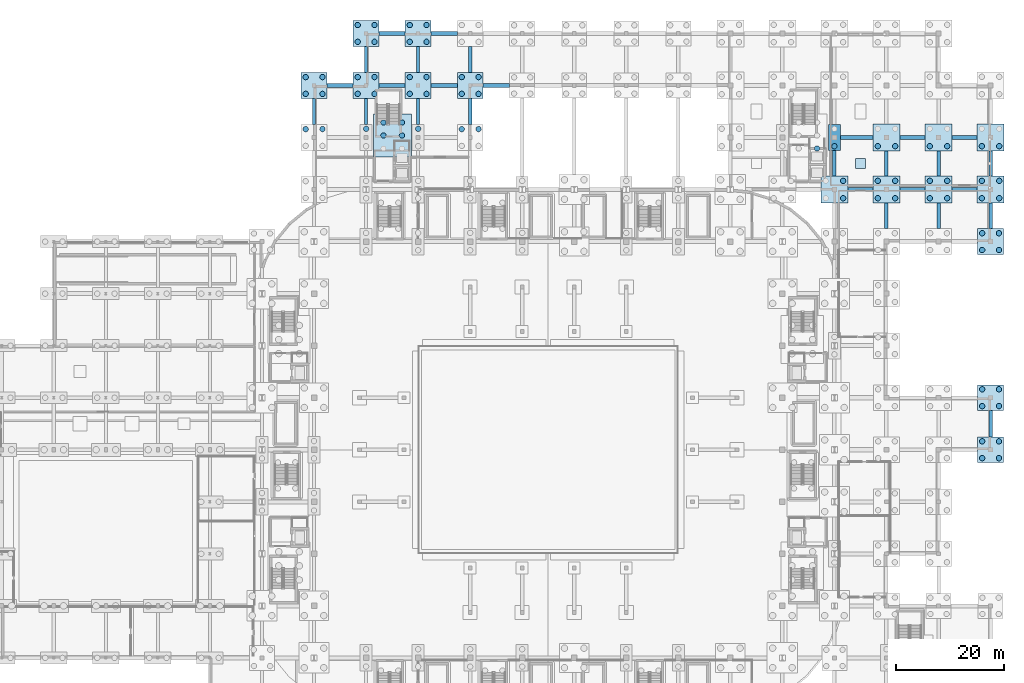
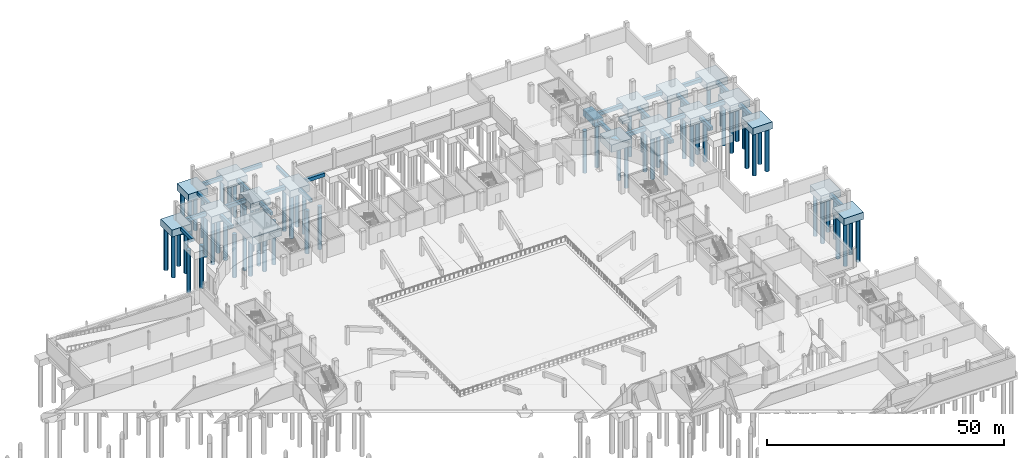
# One storey, part 10 of 67: 68 piles, 46 footings.
"""IFC4 building model written with IfcOpenShell, lengths in metres."""

from ifc_helpers import new_model, si_unit, direction, frame, origin, origin_2d, place, context, subcontext, project, spatial, polyline, rectangle, circle, outline, extrude, material, material_profile, profile_set, type_object, element, save


model = new_model("IFC4")

# Units and contexts
model_context = context("Model", 3, precision=1e-05, world=origin(), true_north=direction((0.0, 1.0)))
body_context = subcontext(model_context, "Body", "Model", "MODEL_VIEW")
ifc_project = project(units=[si_unit("LENGTHUNIT", "METRE"), si_unit("AREAUNIT", "SQUARE_METRE"), si_unit("VOLUMEUNIT", "CUBIC_METRE"), si_unit("PLANEANGLEUNIT", "RADIAN"), si_unit("MASSUNIT", "GRAM", prefix="KILO")], contexts=[model_context])

# Site, building, storey
site_placement = place(None, origin())
site = spatial("IfcSite", under=ifc_project, at=site_placement, CompositionType="ELEMENT")
building_placement = place(site_placement, origin())
building = spatial("IfcBuilding", under=site, at=building_placement, Name="Caelomonte Colonnade Arena", CompositionType="ELEMENT")
storey_placement = place(building_placement, frame((0.0, 0.0, -4.800048828125)))
storey = spatial("IfcBuildingStorey", under=building, at=storey_placement, Name="B1", CompositionType="ELEMENT", Elevation=-4.800048828125)

# Footings
ifc_material = material(Name="Concrete C40/50", Category="concrete")
footing_type_1 = type_object("IfcFootingType", Name="STR-FB-GB01", PredefinedType="FOOTING_BEAM", material=ifc_material)
footing_1_placement = place(storey_placement, frame((0.0, 0.0, -1.39990234375)))
element("IfcFooting", 1, at=footing_1_placement, inside=storey, type_object=footing_type_1, Name="Ground tie beam X (163.2..172.8, Y=115.2)", PredefinedType="FOOTING_BEAM", context=body_context, shape_type="SweptSolid", body=[
    extrude(outline(polyline([(165.679931640625, 114.824951171875), (170.320068359375, 114.824951171875), (170.320068359375, 115.574951171875), (165.679931640625, 115.574951171875), (165.679931640625, 114.824951171875)])), origin(), (0.0, 0.0, 1.0), 0.949951171875),
])
footing_type_2 = type_object("IfcFootingType", Name="STR-FB-GB02", PredefinedType="FOOTING_BEAM", material=ifc_material)
footing_2_placement = place(storey_placement, frame((0.0, 0.0, -1.349853515625)))
element("IfcFooting", 2, at=footing_2_placement, inside=storey, type_object=footing_type_2, Name="Ground tie beam X (172.8..182.4, Y=115.2)", PredefinedType="FOOTING_BEAM", context=body_context, shape_type="SweptSolid", body=[
    extrude(outline(polyline([(175.280029296875, 114.85009765625), (179.919921875, 114.85009765625), (179.919921875, 115.550048828125), (175.280029296875, 115.550048828125), (175.280029296875, 114.85009765625)])), origin(), (0.0, 0.0, 1.0), 0.89990234375),
])
footing_3_placement = place(storey_placement, frame((0.0, 0.0, -1.349853515625)))
element("IfcFooting", 3, at=footing_3_placement, inside=storey, type_object=footing_type_2, Name="Ground tie beam X (182.4..192.0, Y=115.2)", PredefinedType="FOOTING_BEAM", context=body_context, shape_type="SweptSolid", body=[
    extrude(outline(polyline([(184.8798828125, 114.85009765625), (189.52001953125, 114.85009765625), (189.52001953125, 115.550048828125), (184.8798828125, 115.550048828125), (184.8798828125, 114.85009765625)])), origin(), (0.0, 0.0, 1.0), 0.89990234375),
])
footing_4_placement = place(storey_placement, frame((0.0, 0.0, -1.349853515625)))
element("IfcFooting", 4, at=footing_4_placement, inside=storey, type_object=footing_type_2, Name="Ground tie beam X (163.2..172.8, Y=124.8)", PredefinedType="FOOTING_BEAM", context=body_context, shape_type="SweptSolid", body=[
    extrude(outline(polyline([(164.300048828125, 124.449951171875), (170.320068359375, 124.449951171875), (170.320068359375, 125.14990234375), (164.300048828125, 125.14990234375), (164.300048828125, 124.449951171875)])), origin(), (0.0, 0.0, 1.0), 0.89990234375),
])
footing_5_placement = place(storey_placement, frame((0.0, 0.0, -1.349853515625)))
element("IfcFooting", 5, at=footing_5_placement, inside=storey, type_object=footing_type_2, Name="Ground tie beam X (172.8..182.4, Y=124.8)", PredefinedType="FOOTING_BEAM", context=body_context, shape_type="SweptSolid", body=[
    extrude(outline(polyline([(175.280029296875, 124.449951171875), (179.919921875, 124.449951171875), (179.919921875, 125.14990234375), (175.280029296875, 125.14990234375), (175.280029296875, 124.449951171875)])), origin(), (0.0, 0.0, 1.0), 0.89990234375),
])
footing_6_placement = place(storey_placement, frame((0.0, 0.0, -1.349853515625)))
element("IfcFooting", 6, at=footing_6_placement, inside=storey, type_object=footing_type_2, Name="Ground tie beam X (182.4..192.0, Y=124.8)", PredefinedType="FOOTING_BEAM", context=body_context, shape_type="SweptSolid", body=[
    extrude(outline(polyline([(184.8798828125, 124.449951171875), (189.52001953125, 124.449951171875), (189.52001953125, 125.14990234375), (184.8798828125, 125.14990234375), (184.8798828125, 124.449951171875)])), origin(), (0.0, 0.0, 1.0), 0.89990234375),
])
footing_7_placement = place(storey_placement, frame((0.0, 0.0, -1.349853515625)))
element("IfcFooting", 7, at=footing_7_placement, inside=storey, type_object=footing_type_2, Name="Ground tie beam X (67.2..76.8, Y=134.4)", PredefinedType="FOOTING_BEAM", context=body_context, shape_type="SweptSolid", body=[
    extrude(outline(polyline([(69.580078125, 134.050048828125), (74.419921875, 134.050048828125), (74.419921875, 134.75), (69.580078125, 134.75), (69.580078125, 134.050048828125)])), origin(), (0.0, 0.0, 1.0), 0.89990234375),
])
footing_8_placement = place(storey_placement, frame((0.0, 0.0, -1.349853515625)))
element("IfcFooting", 8, at=footing_8_placement, inside=storey, type_object=footing_type_2, Name="Ground tie beam X (76.8..86.4, Y=134.4)", PredefinedType="FOOTING_BEAM", context=body_context, shape_type="SweptSolid", body=[
    extrude(outline(polyline([(79.179931640625, 134.050048828125), (84.02001953125, 134.050048828125), (84.02001953125, 134.75), (79.179931640625, 134.75), (79.179931640625, 134.050048828125)])), origin(), (0.0, 0.0, 1.0), 0.89990234375),
])
footing_9_placement = place(storey_placement, frame((0.0, 0.0, -1.349853515625)))
element("IfcFooting", 9, at=footing_9_placement, inside=storey, type_object=footing_type_2, Name="Ground tie beam X (86.4..96.0, Y=134.4)", PredefinedType="FOOTING_BEAM", context=body_context, shape_type="SweptSolid", body=[
    extrude(outline(polyline([(88.780029296875, 134.050048828125), (93.6201171875, 134.050048828125), (93.6201171875, 134.75), (88.780029296875, 134.75), (88.780029296875, 134.050048828125)])), origin(), (0.0, 0.0, 1.0), 0.89990234375),
])
footing_10_placement = place(storey_placement, frame((0.0, 0.0, -1.349853515625)))
element("IfcFooting", 10, at=footing_10_placement, inside=storey, type_object=footing_type_2, Name="Ground tie beam X (96.0..105.6, Y=134.4)", PredefinedType="FOOTING_BEAM", context=body_context, shape_type="SweptSolid", body=[
    extrude(outline(polyline([(98.3798828125, 134.050048828125), (103.300048828125, 134.050048828125), (103.300048828125, 134.75), (98.3798828125, 134.75), (98.3798828125, 134.050048828125)])), origin(), (0.0, 0.0, 1.0), 0.89990234375),
])
footing_11_placement = place(storey_placement, frame((0.0, 0.0, -1.349853515625)))
element("IfcFooting", 11, at=footing_11_placement, inside=storey, type_object=footing_type_2, Name="Ground tie beam X (76.8..86.4, Y=144.0)", PredefinedType="FOOTING_BEAM", context=body_context, shape_type="SweptSolid", body=[
    extrude(outline(polyline([(79.179931640625, 143.64990234375), (84.02001953125, 143.64990234375), (84.02001953125, 144.35009765625), (79.179931640625, 144.35009765625), (79.179931640625, 143.64990234375)])), origin(), (0.0, 0.0, 1.0), 0.89990234375),
])
footing_12_placement = place(storey_placement, frame((0.0, 0.0, -1.349853515625)))
element("IfcFooting", 12, at=footing_12_placement, inside=storey, type_object=footing_type_2, Name="Ground tie beam X (86.4..96.0, Y=144.0)", PredefinedType="FOOTING_BEAM", context=body_context, shape_type="SweptSolid", body=[
    extrude(outline(polyline([(88.780029296875, 143.64990234375), (93.6201171875, 143.64990234375), (93.6201171875, 144.35009765625), (88.780029296875, 144.35009765625), (88.780029296875, 143.64990234375)])), origin(), (0.0, 0.0, 1.0), 0.89990234375),
])
footing_type_3 = type_object("IfcFootingType", Name="STR-FB-GB03", PredefinedType="FOOTING_BEAM", material=ifc_material)
footing_13_placement = place(storey_placement, frame((0.0, 0.0, -1.300048828125)))
element("IfcFooting", 13, at=footing_13_placement, inside=storey, type_object=footing_type_3, Name="Ground tie beam Y (X=163.2, 115.2..124.8)", PredefinedType="FOOTING_BEAM", context=body_context, shape_type="SweptSolid", body=[
    extrude(outline(polyline([(162.875, 117.679931640625), (163.52490234375, 117.679931640625), (163.52490234375, 122.360107421875), (162.875, 122.360107421875), (162.875, 117.679931640625)])), origin(), (0.0, 0.0, 1.0), 0.85009765625),
])
footing_14_placement = place(storey_placement, frame((0.0, 0.0, -1.300048828125)))
element("IfcFooting", 14, at=footing_14_placement, inside=storey, type_object=footing_type_3, Name="Ground tie beam Y (X=172.8, 105.6..115.2)", PredefinedType="FOOTING_BEAM", context=body_context, shape_type="SweptSolid", body=[
    extrude(outline(polyline([(172.47509765625, 107.97998046875), (173.125, 107.97998046875), (173.125, 112.719970703125), (172.47509765625, 112.719970703125), (172.47509765625, 107.97998046875)])), origin(), (0.0, 0.0, 1.0), 0.85009765625),
])
footing_15_placement = place(storey_placement, frame((0.0, 0.0, -1.300048828125)))
element("IfcFooting", 15, at=footing_15_placement, inside=storey, type_object=footing_type_3, Name="Ground tie beam Y (X=172.8, 115.2..124.8)", PredefinedType="FOOTING_BEAM", context=body_context, shape_type="SweptSolid", body=[
    extrude(outline(polyline([(172.47509765625, 117.679931640625), (173.125, 117.679931640625), (173.125, 122.320068359375), (172.47509765625, 122.320068359375), (172.47509765625, 117.679931640625)])), origin(), (0.0, 0.0, 1.0), 0.85009765625),
])
footing_16_placement = place(storey_placement, frame((0.0, 0.0, -1.300048828125)))
element("IfcFooting", 16, at=footing_16_placement, inside=storey, type_object=footing_type_3, Name="Ground tie beam Y (X=182.4, 105.6..115.2)", PredefinedType="FOOTING_BEAM", context=body_context, shape_type="SweptSolid", body=[
    extrude(outline(polyline([(182.074951171875, 107.97998046875), (182.72509765625, 107.97998046875), (182.72509765625, 112.719970703125), (182.074951171875, 112.719970703125), (182.074951171875, 107.97998046875)])), origin(), (0.0, 0.0, 1.0), 0.85009765625),
])
footing_17_placement = place(storey_placement, frame((0.0, 0.0, -1.300048828125)))
element("IfcFooting", 17, at=footing_17_placement, inside=storey, type_object=footing_type_3, Name="Ground tie beam Y (X=182.4, 115.2..124.8)", PredefinedType="FOOTING_BEAM", context=body_context, shape_type="SweptSolid", body=[
    extrude(outline(polyline([(182.074951171875, 117.679931640625), (182.72509765625, 117.679931640625), (182.72509765625, 122.320068359375), (182.074951171875, 122.320068359375), (182.074951171875, 117.679931640625)])), origin(), (0.0, 0.0, 1.0), 0.85009765625),
])
footing_18_placement = place(storey_placement, frame((0.0, 0.0, -1.300048828125)))
element("IfcFooting", 18, at=footing_18_placement, inside=storey, type_object=footing_type_3, Name="Ground tie beam Y (X=192.0, 67.2..76.8)", PredefinedType="FOOTING_BEAM", context=body_context, shape_type="SweptSolid", body=[
    extrude(outline(polyline([(191.675048828125, 69.580078125), (192.324951171875, 69.580078125), (192.324951171875, 74.419921875), (191.675048828125, 74.419921875), (191.675048828125, 69.580078125)])), origin(), (0.0, 0.0, 1.0), 0.85009765625),
])
footing_19_placement = place(storey_placement, frame((0.0, 0.0, -1.300048828125)))
element("IfcFooting", 19, at=footing_19_placement, inside=storey, type_object=footing_type_3, Name="Ground tie beam Y (X=192.0, 105.6..115.2)", PredefinedType="FOOTING_BEAM", context=body_context, shape_type="SweptSolid", body=[
    extrude(outline(polyline([(191.675048828125, 107.97998046875), (192.324951171875, 107.97998046875), (192.324951171875, 112.719970703125), (191.675048828125, 112.719970703125), (191.675048828125, 107.97998046875)])), origin(), (0.0, 0.0, 1.0), 0.85009765625),
])
footing_20_placement = place(storey_placement, frame((0.0, 0.0, -1.300048828125)))
element("IfcFooting", 20, at=footing_20_placement, inside=storey, type_object=footing_type_3, Name="Ground tie beam Y (X=192.0, 115.2..124.8)", PredefinedType="FOOTING_BEAM", context=body_context, shape_type="SweptSolid", body=[
    extrude(outline(polyline([(191.675048828125, 117.679931640625), (192.324951171875, 117.679931640625), (192.324951171875, 122.320068359375), (191.675048828125, 122.320068359375), (191.675048828125, 117.679931640625)])), origin(), (0.0, 0.0, 1.0), 0.85009765625),
])
footing_type_4 = type_object("IfcFootingType", Name="STR-FB-GB04", PredefinedType="FOOTING_BEAM", material=ifc_material)
footing_21_placement = place(storey_placement, frame((0.0, 0.0, -1.25)))
element("IfcFooting", 21, at=footing_21_placement, inside=storey, type_object=footing_type_4, Name="Ground tie beam Y (X=67.2, 124.8..134.4)", PredefinedType="FOOTING_BEAM", context=body_context, shape_type="SweptSolid", body=[
    extrude(outline(polyline([(66.89990234375, 127.179931640625), (67.5, 127.179931640625), (67.5, 132.02001953125), (66.89990234375, 132.02001953125), (66.89990234375, 127.179931640625)])), origin(), (0.0, 0.0, 1.0), 0.800048828125),
])
footing_22_placement = place(storey_placement, frame((0.0, 0.0, -1.25)))
element("IfcFooting", 22, at=footing_22_placement, inside=storey, type_object=footing_type_4, Name="Ground tie beam Y (X=76.8, 124.8..134.4)", PredefinedType="FOOTING_BEAM", context=body_context, shape_type="SweptSolid", body=[
    extrude(outline(polyline([(76.5, 127.239990234375), (77.10009765625, 127.239990234375), (77.10009765625, 132.02001953125), (76.5, 132.02001953125), (76.5, 127.239990234375)])), origin(), (0.0, 0.0, 1.0), 0.800048828125),
])
footing_23_placement = place(storey_placement, frame((0.0, 0.0, -1.25)))
element("IfcFooting", 23, at=footing_23_placement, inside=storey, type_object=footing_type_4, Name="Ground tie beam Y (X=76.8, 134.4..144.0)", PredefinedType="FOOTING_BEAM", context=body_context, shape_type="SweptSolid", body=[
    extrude(outline(polyline([(76.5, 136.780029296875), (77.10009765625, 136.780029296875), (77.10009765625, 141.6201171875), (76.5, 141.6201171875), (76.5, 136.780029296875)])), origin(), (0.0, 0.0, 1.0), 0.800048828125),
])
footing_24_placement = place(storey_placement, frame((0.0, 0.0, -1.25)))
element("IfcFooting", 24, at=footing_24_placement, inside=storey, type_object=footing_type_4, Name="Ground tie beam Y (X=86.4, 124.8..134.4)", PredefinedType="FOOTING_BEAM", context=body_context, shape_type="SweptSolid", body=[
    extrude(outline(polyline([(86.10009765625, 127.239990234375), (86.699951171875, 127.239990234375), (86.699951171875, 132.02001953125), (86.10009765625, 132.02001953125), (86.10009765625, 127.239990234375)])), origin(), (0.0, 0.0, 1.0), 0.800048828125),
])
footing_25_placement = place(storey_placement, frame((0.0, 0.0, -1.25)))
element("IfcFooting", 25, at=footing_25_placement, inside=storey, type_object=footing_type_4, Name="Ground tie beam Y (X=86.4, 134.4..144.0)", PredefinedType="FOOTING_BEAM", context=body_context, shape_type="SweptSolid", body=[
    extrude(outline(polyline([(86.10009765625, 136.780029296875), (86.699951171875, 136.780029296875), (86.699951171875, 141.6201171875), (86.10009765625, 141.6201171875), (86.10009765625, 136.780029296875)])), origin(), (0.0, 0.0, 1.0), 0.800048828125),
])
footing_26_placement = place(storey_placement, frame((0.0, 0.0, -1.25)))
element("IfcFooting", 26, at=footing_26_placement, inside=storey, type_object=footing_type_4, Name="Ground tie beam Y (X=96.0, 124.8..134.4)", PredefinedType="FOOTING_BEAM", context=body_context, shape_type="SweptSolid", body=[
    extrude(outline(polyline([(95.699951171875, 127.179931640625), (96.300048828125, 127.179931640625), (96.300048828125, 132.02001953125), (95.699951171875, 132.02001953125), (95.699951171875, 127.179931640625)])), origin(), (0.0, 0.0, 1.0), 0.800048828125),
])
footing_27_placement = place(storey_placement, frame((0.0, 0.0, -1.25)))
element("IfcFooting", 27, at=footing_27_placement, inside=storey, type_object=footing_type_4, Name="Ground tie beam Y (X=96.0, 134.4..144.0)", PredefinedType="FOOTING_BEAM", context=body_context, shape_type="SweptSolid", body=[
    extrude(outline(polyline([(95.699951171875, 136.780029296875), (96.300048828125, 136.780029296875), (96.300048828125, 141.6201171875), (95.699951171875, 141.6201171875), (95.699951171875, 136.780029296875)])), origin(), (0.0, 0.0, 1.0), 0.800048828125),
])
footing_type_5 = type_object("IfcFootingType", Name="STR-FC-PC03", PredefinedType="PILE_CAP", material=ifc_material)
for number, where, z_axis, x_axis, name in (
    (28, (163.199951171875, 115.199951171875, -2.349853515625), (0.0, 0.0, 1.0), (1.0, 0.0, 0.0), "Pile cap FC-1632-1152"),
    (29, (172.800048828125, 115.199951171875, -2.349853515625), (0.0, 0.0, 1.0), (1.0, 0.0, 0.0), "Pile cap FC-1728-1152"),
    (30, (172.800048828125, 124.800048828125, -2.349853515625), (0.0, 0.0, 1.0), (1.0, 0.0, 0.0), "Pile cap FC-1728-1248"),
    (31, (182.39990234375, 115.199951171875, -2.349853515625), (0.0, 0.0, 1.0), (1.0, 0.0, 0.0), "Pile cap FC-1824-1152"),
    (32, (182.39990234375, 124.800048828125, -2.349853515625), (0.0, 0.0, 1.0), (1.0, 0.0, 0.0), "Pile cap FC-1824-1248"),
    (33, (192.0, 115.199951171875, -2.349853515625), (0.0, 0.0, 1.0), (1.0, 0.0, 0.0), "Pile cap FC-1920-1152"),
    (34, (192.0, 124.800048828125, -2.349853515625), (0.0, 0.0, 1.0), (1.0, 0.0, 0.0), "Pile cap FC-1920-1248"),
):
    element("IfcFooting", number, at=place(storey_placement, frame(where, z_axis=z_axis, x_axis=x_axis)), inside=storey, type_object=footing_type_5, Name=name, PredefinedType="PILE_CAP", context=body_context, shape_type="SweptSolid", body=[
        extrude(rectangle(XDim=4.9599609375, YDim=4.9599609375, at=origin_2d()), origin(), (0.0, 0.0, 1.0), 1.89990234375),
    ])
footing_type_6 = type_object("IfcFootingType", Name="STR-FC-PC04", PredefinedType="PILE_CAP", material=ifc_material)
for number, where, z_axis, x_axis, name in (
    (35, (67.199951171875, 134.39990234375, -2.25), (0.0, 0.0, 1.0), (1.0, 0.0, 0.0), "Pile cap FC-0672-1344"),
    (36, (76.800048828125, 134.39990234375, -2.25), (0.0, 0.0, 1.0), (1.0, 0.0, 0.0), "Pile cap FC-0768-1344"),
    (37, (76.800048828125, 144.0, -2.25), (0.0, 0.0, 1.0), (1.0, 0.0, 0.0), "Pile cap FC-0768-1440"),
    (38, (86.39990234375, 134.39990234375, -2.25), (0.0, 0.0, 1.0), (1.0, 0.0, 0.0), "Pile cap FC-0864-1344"),
    (39, (86.39990234375, 144.0, -2.25), (0.0, 0.0, 1.0), (1.0, 0.0, 0.0), "Pile cap FC-0864-1440"),
    (40, (96.0, 134.39990234375, -2.25), (0.0, 0.0, 1.0), (1.0, 0.0, 0.0), "Pile cap FC-0960-1344"),
    (41, (192.0, 67.199951171875, -2.25), (0.0, 0.0, 1.0), (1.0, 0.0, 0.0), "Pile cap FC-1920-0672"),
    (42, (192.0, 76.800048828125, -2.25), (0.0, 0.0, 1.0), (1.0, 0.0, 0.0), "Pile cap FC-1920-0768"),
    (43, (192.0, 105.60009765625, -2.25), (0.0, 0.0, 1.0), (1.0, 0.0, 0.0), "Pile cap FC-1920-1056"),
):
    element("IfcFooting", number, at=place(storey_placement, frame(where, z_axis=z_axis, x_axis=x_axis)), inside=storey, type_object=footing_type_6, Name=name, PredefinedType="PILE_CAP", context=body_context, shape_type="SweptSolid", body=[
        extrude(rectangle(XDim=4.760009765625, YDim=4.760009765625, at=origin_2d()), origin(), (0.0, 0.0, 1.0), 1.800048828125),
    ])
footing_type_7 = type_object("IfcFootingType", Name="STR-FC-PC07", PredefinedType="PILE_CAP", material=ifc_material)
footing_28_placement = place(storey_placement, frame((163.199951171875, 124.800048828125, -2.14990234375), z_axis=(0.0, 0.0, 1.0), x_axis=(1.0, 0.0, 0.0)))
element("IfcFooting", 44, at=footing_28_placement, inside=storey, type_object=footing_type_7, Name="Pile cap FC-1632-1248", PredefinedType="PILE_CAP", context=body_context, shape_type="SweptSolid", body=[
    extrude(rectangle(XDim=2.199951171875, YDim=4.8798828125, at=origin_2d()), origin(), (0.0, 0.0, 1.0), 1.699951171875),
])
footing_type_8 = type_object("IfcFootingType", Name="STR-FC-PC11", PredefinedType="PILE_CAP", material=ifc_material)
footing_29_placement = place(storey_placement, frame((81.699951171875, 125.175048828125, -2.449951171875), z_axis=(0.0, 0.0, 1.0), x_axis=(1.0, 0.0, 0.0)))
element("IfcFooting", 45, at=footing_29_placement, inside=storey, type_object=footing_type_8, Name="Core C7 pile cap", PredefinedType="PILE_CAP", context=body_context, shape_type="SweptSolid", body=[
    extrude(rectangle(XDim=7.0, YDim=8.0, at=origin_2d()), origin(), (0.0, 0.0, 1.0), 2.0),
])
footing_type_9 = type_object("IfcFootingType", Name="STR-FD-PF04", PredefinedType="PAD_FOOTING", material=ifc_material)
footing_30_placement = place(storey_placement, frame((168.0, 120.0, -1.199951171875), z_axis=(0.0, 0.0, 1.0), x_axis=(1.0, 0.0, 0.0)))
element("IfcFooting", 46, at=footing_30_placement, inside=storey, type_object=footing_type_9, Name="Equipment pad footing PF-08", PredefinedType="PAD_FOOTING", context=body_context, shape_type="SweptSolid", body=[
    extrude(rectangle(XDim=1.800048828125, YDim=1.800048828125, at=origin_2d()), origin(), (0.0, 0.0, 1.0), 0.75),
])

# Piles
ifc_material_profile = material_profile(ifc_material, circle(Radius=0.5, at=origin_2d()), Name="PILE-D1000")
ifc_profile_set = profile_set([ifc_material_profile], Name="Concrete C40/50")
pile_type = type_object("IfcPileType", Name="STR-PL-D1000", PredefinedType="BORED", material=ifc_profile_set)
for number, where, z_axis, x_axis, name in (
    (47, (160.0, 122.77490234375, -2.349853515625), (0.0, 0.0, -1.0), (1.0, 0.0, 0.0), "Core C6 rock-socketed pile 4"),
    (48, (80.0, 125.175048828125, -2.349853515625), (0.0, 0.0, -1.0), (1.0, 0.0, 0.0), "Core C7 rock-socketed pile 2"),
    (49, (80.0, 127.574951171875, -2.349853515625), (0.0, 0.0, -1.0), (1.0, 0.0, 0.0), "Core C7 rock-socketed pile 3"),
    (50, (83.39990234375, 125.175048828125, -2.349853515625), (0.0, 0.0, -1.0), (1.0, 0.0, 0.0), "Core C7 rock-socketed pile 5"),
    (51, (83.39990234375, 127.574951171875, -2.349853515625), (0.0, 0.0, -1.0), (1.0, 0.0, 0.0), "Core C7 rock-socketed pile 6"),
):
    element("IfcPile", number, at=place(storey_placement, frame(where, z_axis=z_axis, x_axis=x_axis)), inside=storey, type_object=pile_type, Name=name, PredefinedType="BORED", context=body_context, shape_type="SweptSolid", body=[
        extrude(circle(Radius=0.5, at=origin_2d()), origin(), (0.0, 0.0, 1.0), 10.85009765625),
    ])
for number, where, z_axis, x_axis, name in (
    (52, (65.64990234375, 126.35009765625, -2.14990234375), (0.0, 0.0, -1.0), (1.0, 0.0, 0.0), "Rock-socketed bored pile FC-0672-1248-3"),
    (53, (68.75, 126.35009765625, -2.14990234375), (0.0, 0.0, -1.0), (1.0, 0.0, 0.0), "Rock-socketed bored pile FC-0672-1248-4"),
    (54, (65.64990234375, 132.85009765625, -2.14990234375), (0.0, 0.0, -1.0), (1.0, 0.0, 0.0), "Rock-socketed bored pile FC-0672-1344-1"),
    (55, (68.75, 132.85009765625, -2.14990234375), (0.0, 0.0, -1.0), (1.0, 0.0, 0.0), "Rock-socketed bored pile FC-0672-1344-2"),
    (56, (65.64990234375, 135.949951171875, -2.14990234375), (0.0, 0.0, -1.0), (1.0, 0.0, 0.0), "Rock-socketed bored pile FC-0672-1344-3"),
    (57, (68.75, 135.949951171875, -2.14990234375), (0.0, 0.0, -1.0), (1.0, 0.0, 0.0), "Rock-socketed bored pile FC-0672-1344-4"),
):
    element("IfcPile", number, at=place(storey_placement, frame(where, z_axis=z_axis, x_axis=x_axis)), inside=storey, type_object=pile_type, Name=name, PredefinedType="BORED", context=body_context, shape_type="SweptSolid", body=[
        extrude(circle(Radius=0.5, at=origin_2d()), origin(), (0.0, 0.0, 1.0), 11.050048828125),
    ])
pile_1_placement = place(storey_placement, frame((76.800048828125, 126.39990234375, -2.050048828125), z_axis=(0.0, 0.0, -1.0), x_axis=(1.0, 0.0, 0.0)))
element("IfcPile", 58, at=pile_1_placement, inside=storey, type_object=pile_type, Name="Rock-socketed bored pile FC-0768-1248-2", PredefinedType="BORED", context=body_context, shape_type="SweptSolid", body=[
    extrude(circle(Radius=0.5, at=origin_2d()), origin(), (0.0, 0.0, 1.0), 11.14990234375),
])
for number, where, z_axis, x_axis, name in (
    (59, (75.25, 132.85009765625, -2.14990234375), (0.0, 0.0, -1.0), (1.0, 0.0, 0.0), "Rock-socketed bored pile FC-0768-1344-1"),
    (60, (78.35009765625, 132.85009765625, -2.14990234375), (0.0, 0.0, -1.0), (1.0, 0.0, 0.0), "Rock-socketed bored pile FC-0768-1344-2"),
    (61, (75.25, 135.949951171875, -2.14990234375), (0.0, 0.0, -1.0), (1.0, 0.0, 0.0), "Rock-socketed bored pile FC-0768-1344-3"),
    (62, (78.35009765625, 135.949951171875, -2.14990234375), (0.0, 0.0, -1.0), (1.0, 0.0, 0.0), "Rock-socketed bored pile FC-0768-1344-4"),
    (63, (75.25, 142.449951171875, -2.14990234375), (0.0, 0.0, -1.0), (1.0, 0.0, 0.0), "Rock-socketed bored pile FC-0768-1440-1"),
    (64, (78.35009765625, 142.449951171875, -2.14990234375), (0.0, 0.0, -1.0), (1.0, 0.0, 0.0), "Rock-socketed bored pile FC-0768-1440-2"),
    (65, (75.25, 145.550048828125, -2.14990234375), (0.0, 0.0, -1.0), (1.0, 0.0, 0.0), "Rock-socketed bored pile FC-0768-1440-3"),
    (66, (78.35009765625, 145.550048828125, -2.14990234375), (0.0, 0.0, -1.0), (1.0, 0.0, 0.0), "Rock-socketed bored pile FC-0768-1440-4"),
):
    element("IfcPile", number, at=place(storey_placement, frame(where, z_axis=z_axis, x_axis=x_axis)), inside=storey, type_object=pile_type, Name=name, PredefinedType="BORED", context=body_context, shape_type="SweptSolid", body=[
        extrude(circle(Radius=0.5, at=origin_2d()), origin(), (0.0, 0.0, 1.0), 11.050048828125),
    ])
pile_2_placement = place(storey_placement, frame((86.39990234375, 126.39990234375, -2.050048828125), z_axis=(0.0, 0.0, -1.0), x_axis=(1.0, 0.0, 0.0)))
element("IfcPile", 67, at=pile_2_placement, inside=storey, type_object=pile_type, Name="Rock-socketed bored pile FC-0864-1248-2", PredefinedType="BORED", context=body_context, shape_type="SweptSolid", body=[
    extrude(circle(Radius=0.5, at=origin_2d()), origin(), (0.0, 0.0, 1.0), 11.14990234375),
])
for number, where, z_axis, x_axis, name in (
    (68, (84.85009765625, 132.85009765625, -2.14990234375), (0.0, 0.0, -1.0), (1.0, 0.0, 0.0), "Rock-socketed bored pile FC-0864-1344-1"),
    (69, (87.949951171875, 132.85009765625, -2.14990234375), (0.0, 0.0, -1.0), (1.0, 0.0, 0.0), "Rock-socketed bored pile FC-0864-1344-2"),
    (70, (84.85009765625, 135.949951171875, -2.14990234375), (0.0, 0.0, -1.0), (1.0, 0.0, 0.0), "Rock-socketed bored pile FC-0864-1344-3"),
    (71, (87.949951171875, 135.949951171875, -2.14990234375), (0.0, 0.0, -1.0), (1.0, 0.0, 0.0), "Rock-socketed bored pile FC-0864-1344-4"),
    (72, (84.85009765625, 142.449951171875, -2.14990234375), (0.0, 0.0, -1.0), (1.0, 0.0, 0.0), "Rock-socketed bored pile FC-0864-1440-1"),
    (73, (87.949951171875, 142.449951171875, -2.14990234375), (0.0, 0.0, -1.0), (1.0, 0.0, 0.0), "Rock-socketed bored pile FC-0864-1440-2"),
    (74, (84.85009765625, 145.550048828125, -2.14990234375), (0.0, 0.0, -1.0), (1.0, 0.0, 0.0), "Rock-socketed bored pile FC-0864-1440-3"),
    (75, (87.949951171875, 145.550048828125, -2.14990234375), (0.0, 0.0, -1.0), (1.0, 0.0, 0.0), "Rock-socketed bored pile FC-0864-1440-4"),
    (76, (94.449951171875, 126.35009765625, -2.14990234375), (0.0, 0.0, -1.0), (1.0, 0.0, 0.0), "Rock-socketed bored pile FC-0960-1248-3"),
    (77, (97.550048828125, 126.35009765625, -2.14990234375), (0.0, 0.0, -1.0), (1.0, 0.0, 0.0), "Rock-socketed bored pile FC-0960-1248-4"),
    (78, (94.449951171875, 132.85009765625, -2.14990234375), (0.0, 0.0, -1.0), (1.0, 0.0, 0.0), "Rock-socketed bored pile FC-0960-1344-1"),
    (79, (97.550048828125, 132.85009765625, -2.14990234375), (0.0, 0.0, -1.0), (1.0, 0.0, 0.0), "Rock-socketed bored pile FC-0960-1344-2"),
    (80, (94.449951171875, 135.949951171875, -2.14990234375), (0.0, 0.0, -1.0), (1.0, 0.0, 0.0), "Rock-socketed bored pile FC-0960-1344-3"),
    (81, (97.550048828125, 135.949951171875, -2.14990234375), (0.0, 0.0, -1.0), (1.0, 0.0, 0.0), "Rock-socketed bored pile FC-0960-1344-4"),
):
    element("IfcPile", number, at=place(storey_placement, frame(where, z_axis=z_axis, x_axis=x_axis)), inside=storey, type_object=pile_type, Name=name, PredefinedType="BORED", context=body_context, shape_type="SweptSolid", body=[
        extrude(circle(Radius=0.5, at=origin_2d()), origin(), (0.0, 0.0, 1.0), 11.050048828125),
    ])
for number, where, z_axis, x_axis, name in (
    (82, (164.800048828125, 113.60009765625, -2.25), (0.0, 0.0, -1.0), (1.0, 0.0, 0.0), "Rock-socketed bored pile FC-1632-1152-2"),
    (83, (164.800048828125, 116.800048828125, -2.25), (0.0, 0.0, -1.0), (1.0, 0.0, 0.0), "Rock-socketed bored pile FC-1632-1152-4"),
):
    element("IfcPile", number, at=place(storey_placement, frame(where, z_axis=z_axis, x_axis=x_axis)), inside=storey, type_object=pile_type, Name=name, PredefinedType="BORED", context=body_context, shape_type="SweptSolid", body=[
        extrude(circle(Radius=0.5, at=origin_2d()), origin(), (0.0, 0.0, 1.0), 10.949951171875),
    ])
pile_3_placement = place(storey_placement, frame((163.199951171875, 123.199951171875, -2.050048828125), z_axis=(0.0, 0.0, -1.0), x_axis=(1.0, 0.0, 0.0)))
element("IfcPile", 84, at=pile_3_placement, inside=storey, type_object=pile_type, Name="Rock-socketed bored pile FC-1632-1248-1", PredefinedType="BORED", context=body_context, shape_type="SweptSolid", body=[
    extrude(circle(Radius=0.5, at=origin_2d()), origin(), (0.0, 0.0, 1.0), 11.14990234375),
])
for number, where, z_axis, x_axis, name in (
    (85, (171.199951171875, 113.60009765625, -2.25), (0.0, 0.0, -1.0), (1.0, 0.0, 0.0), "Rock-socketed bored pile FC-1728-1152-1"),
    (86, (174.39990234375, 113.60009765625, -2.25), (0.0, 0.0, -1.0), (1.0, 0.0, 0.0), "Rock-socketed bored pile FC-1728-1152-2"),
    (87, (171.199951171875, 116.800048828125, -2.25), (0.0, 0.0, -1.0), (1.0, 0.0, 0.0), "Rock-socketed bored pile FC-1728-1152-3"),
    (88, (174.39990234375, 116.800048828125, -2.25), (0.0, 0.0, -1.0), (1.0, 0.0, 0.0), "Rock-socketed bored pile FC-1728-1152-4"),
    (89, (171.199951171875, 123.199951171875, -2.25), (0.0, 0.0, -1.0), (1.0, 0.0, 0.0), "Rock-socketed bored pile FC-1728-1248-1"),
    (90, (174.39990234375, 123.199951171875, -2.25), (0.0, 0.0, -1.0), (1.0, 0.0, 0.0), "Rock-socketed bored pile FC-1728-1248-2"),
    (91, (180.800048828125, 113.60009765625, -2.25), (0.0, 0.0, -1.0), (1.0, 0.0, 0.0), "Rock-socketed bored pile FC-1824-1152-1"),
    (92, (184.0, 113.60009765625, -2.25), (0.0, 0.0, -1.0), (1.0, 0.0, 0.0), "Rock-socketed bored pile FC-1824-1152-2"),
    (93, (180.800048828125, 116.800048828125, -2.25), (0.0, 0.0, -1.0), (1.0, 0.0, 0.0), "Rock-socketed bored pile FC-1824-1152-3"),
    (94, (184.0, 116.800048828125, -2.25), (0.0, 0.0, -1.0), (1.0, 0.0, 0.0), "Rock-socketed bored pile FC-1824-1152-4"),
    (95, (180.800048828125, 123.199951171875, -2.25), (0.0, 0.0, -1.0), (1.0, 0.0, 0.0), "Rock-socketed bored pile FC-1824-1248-1"),
    (96, (184.0, 123.199951171875, -2.25), (0.0, 0.0, -1.0), (1.0, 0.0, 0.0), "Rock-socketed bored pile FC-1824-1248-2"),
):
    element("IfcPile", number, at=place(storey_placement, frame(where, z_axis=z_axis, x_axis=x_axis)), inside=storey, type_object=pile_type, Name=name, PredefinedType="BORED", context=body_context, shape_type="SweptSolid", body=[
        extrude(circle(Radius=0.5, at=origin_2d()), origin(), (0.0, 0.0, 1.0), 10.949951171875),
    ])
for number, where, z_axis, x_axis, name in (
    (97, (190.449951171875, 65.64990234375, -2.14990234375), (0.0, 0.0, -1.0), (1.0, 0.0, 0.0), "Rock-socketed bored pile FC-1920-0672-1"),
    (98, (193.550048828125, 65.64990234375, -2.14990234375), (0.0, 0.0, -1.0), (1.0, 0.0, 0.0), "Rock-socketed bored pile FC-1920-0672-2"),
    (99, (190.449951171875, 68.75, -2.14990234375), (0.0, 0.0, -1.0), (1.0, 0.0, 0.0), "Rock-socketed bored pile FC-1920-0672-3"),
    (100, (193.550048828125, 68.75, -2.14990234375), (0.0, 0.0, -1.0), (1.0, 0.0, 0.0), "Rock-socketed bored pile FC-1920-0672-4"),
    (101, (190.449951171875, 75.25, -2.14990234375), (0.0, 0.0, -1.0), (1.0, 0.0, 0.0), "Rock-socketed bored pile FC-1920-0768-1"),
    (102, (193.550048828125, 75.25, -2.14990234375), (0.0, 0.0, -1.0), (1.0, 0.0, 0.0), "Rock-socketed bored pile FC-1920-0768-2"),
    (103, (190.449951171875, 78.35009765625, -2.14990234375), (0.0, 0.0, -1.0), (1.0, 0.0, 0.0), "Rock-socketed bored pile FC-1920-0768-3"),
    (104, (193.550048828125, 78.35009765625, -2.14990234375), (0.0, 0.0, -1.0), (1.0, 0.0, 0.0), "Rock-socketed bored pile FC-1920-0768-4"),
    (105, (190.449951171875, 104.050048828125, -2.14990234375), (0.0, 0.0, -1.0), (1.0, 0.0, 0.0), "Rock-socketed bored pile FC-1920-1056-1"),
    (106, (193.550048828125, 104.050048828125, -2.14990234375), (0.0, 0.0, -1.0), (1.0, 0.0, 0.0), "Rock-socketed bored pile FC-1920-1056-2"),
    (107, (190.449951171875, 107.14990234375, -2.14990234375), (0.0, 0.0, -1.0), (1.0, 0.0, 0.0), "Rock-socketed bored pile FC-1920-1056-3"),
    (108, (193.550048828125, 107.14990234375, -2.14990234375), (0.0, 0.0, -1.0), (1.0, 0.0, 0.0), "Rock-socketed bored pile FC-1920-1056-4"),
):
    element("IfcPile", number, at=place(storey_placement, frame(where, z_axis=z_axis, x_axis=x_axis)), inside=storey, type_object=pile_type, Name=name, PredefinedType="BORED", context=body_context, shape_type="SweptSolid", body=[
        extrude(circle(Radius=0.5, at=origin_2d()), origin(), (0.0, 0.0, 1.0), 11.050048828125),
    ])
for number, where, z_axis, x_axis, name in (
    (109, (190.39990234375, 113.60009765625, -2.25), (0.0, 0.0, -1.0), (1.0, 0.0, 0.0), "Rock-socketed bored pile FC-1920-1152-1"),
    (110, (193.60009765625, 113.60009765625, -2.25), (0.0, 0.0, -1.0), (1.0, 0.0, 0.0), "Rock-socketed bored pile FC-1920-1152-2"),
    (111, (190.39990234375, 116.800048828125, -2.25), (0.0, 0.0, -1.0), (1.0, 0.0, 0.0), "Rock-socketed bored pile FC-1920-1152-3"),
    (112, (193.60009765625, 116.800048828125, -2.25), (0.0, 0.0, -1.0), (1.0, 0.0, 0.0), "Rock-socketed bored pile FC-1920-1152-4"),
    (113, (190.39990234375, 123.199951171875, -2.25), (0.0, 0.0, -1.0), (1.0, 0.0, 0.0), "Rock-socketed bored pile FC-1920-1248-1"),
    (114, (193.60009765625, 123.199951171875, -2.25), (0.0, 0.0, -1.0), (1.0, 0.0, 0.0), "Rock-socketed bored pile FC-1920-1248-2"),
):
    element("IfcPile", number, at=place(storey_placement, frame(where, z_axis=z_axis, x_axis=x_axis)), inside=storey, type_object=pile_type, Name=name, PredefinedType="BORED", context=body_context, shape_type="SweptSolid", body=[
        extrude(circle(Radius=0.5, at=origin_2d()), origin(), (0.0, 0.0, 1.0), 10.949951171875),
    ])

save(model, "model.ifc")
